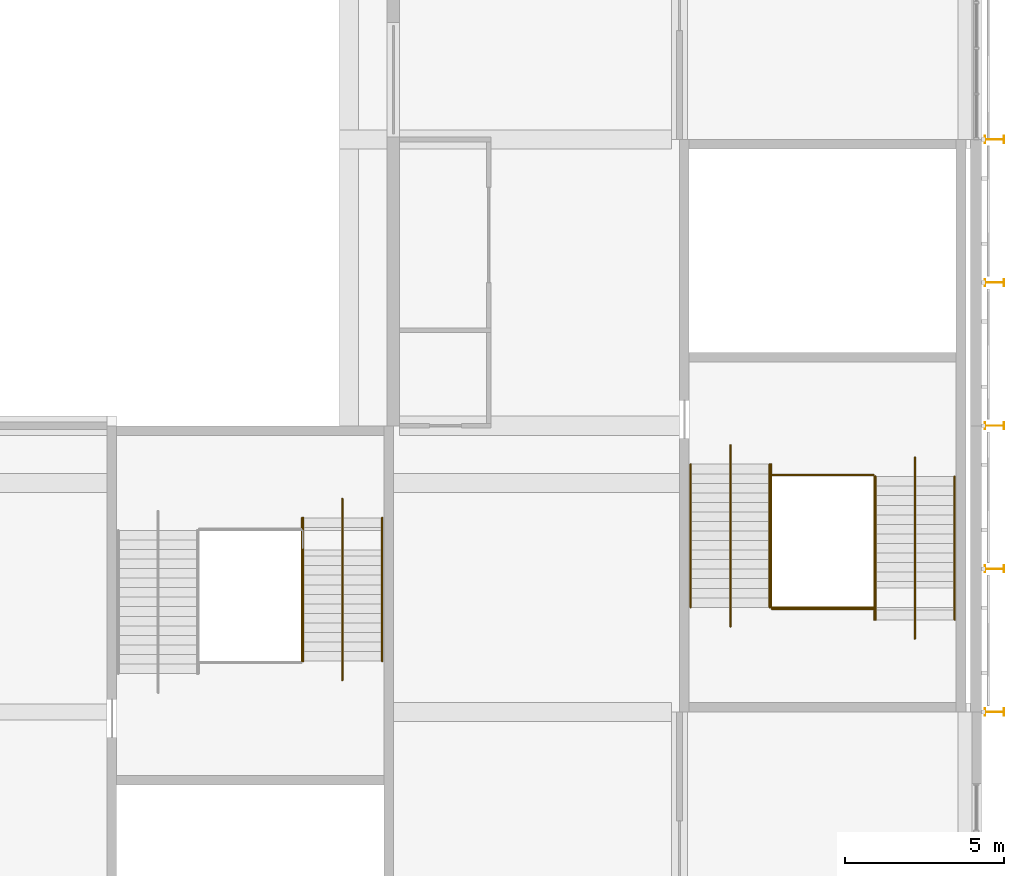
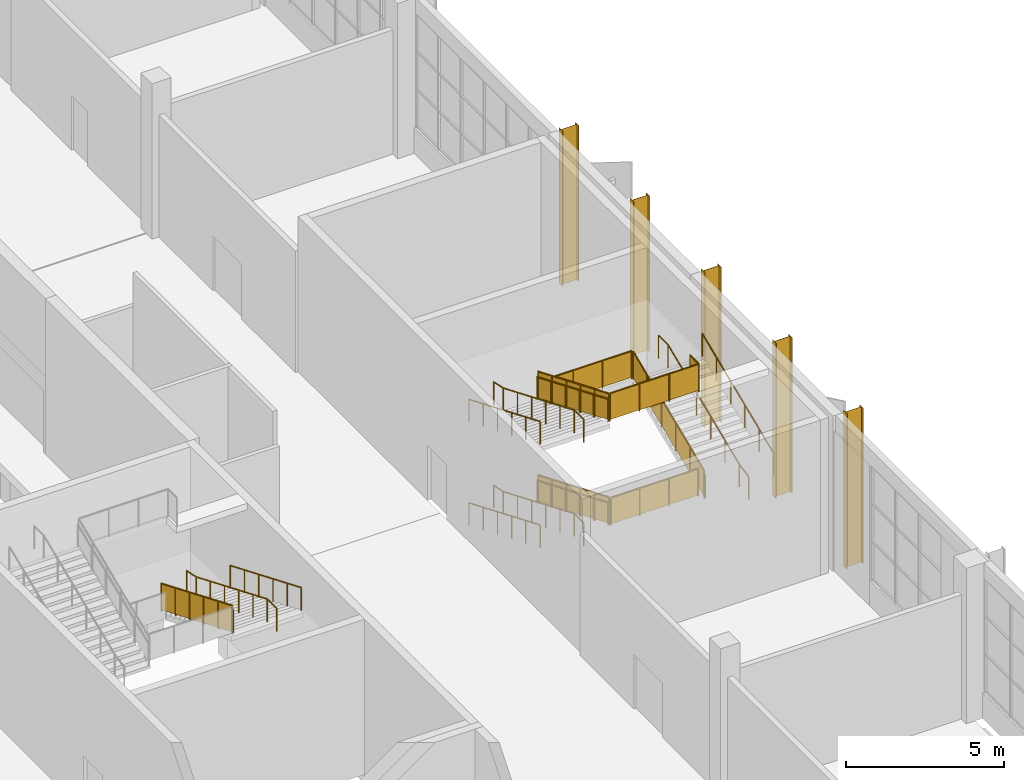
# One storey, part 81 of 89: 19 railings, 5 shading devices.
"""IFC4 building model written with IfcOpenShell, lengths in metres."""

from ifc_helpers import new_model, si_unit, direction, frame, origin, origin_2d, place, context, subcontext, project, spatial, polyline, circle, i_section, outline, extrude, material, material_profile, profile_set, type_object, element, save


model = new_model("IFC4")

# Units and contexts
model_context = context("Model", 3, precision=1e-05, world=origin(), true_north=direction((0.0, 1.0)))
body_context = subcontext(model_context, "Body", "Model", "MODEL_VIEW")
ifc_project = project(units=[si_unit("LENGTHUNIT", "METRE"), si_unit("AREAUNIT", "SQUARE_METRE"), si_unit("VOLUMEUNIT", "CUBIC_METRE"), si_unit("PLANEANGLEUNIT", "RADIAN"), si_unit("MASSUNIT", "GRAM", prefix="KILO")], contexts=[model_context])

# Site, building, storey
site_placement = place(None, origin())
site = spatial("IfcSite", under=ifc_project, at=site_placement, CompositionType="ELEMENT")
building_placement = place(site_placement, origin())
building = spatial("IfcBuilding", under=site, at=building_placement, Name="Silverbay Arena", CompositionType="ELEMENT")
storey_placement = place(building_placement, frame((0.0, 0.0, 22.0)))
storey = spatial("IfcBuildingStorey", under=building, at=storey_placement, Name="L03", CompositionType="ELEMENT", Elevation=22.0)

# Railings
ifc_material_1 = material(Name="Stainless steel", Category="steel")
railing_type_1 = type_object("IfcRailingType", Name="Stair guard 1100", PredefinedType="GUARDRAIL", material=ifc_material_1)
railing_1_placement = place(storey_placement, frame((200.875, 61.7900390625, 0.125)))
element("IfcRailing", 1, at=railing_1_placement, inside=storey, type_object=railing_type_1, Name="Stair ST-E1 L03 to L04 flight 1 guard right", PredefinedType="GUARDRAIL", context=body_context, shape_type="SweptSolid", body=[
    extrude(circle(Radius=0.02392578125, at=origin_2d()), frame((0.0, 0.0, 1.076171875), z_axis=(0.0, -0.923076923077, 0.384615384615), x_axis=(1.0, 0.0, 0.0)), (0.0, 0.0, 1.0), 4.875),
    extrude(outline(polyline([(-0.008056640625, 0.046630859375), (0.907958984375, 0.42822265625), (0.907958984375, 1.431396484375), (-0.008056640625, 1.049560546875), (-0.008056640625, 0.046630859375)])), frame((0.0029296875, 0.0, 0.0), z_axis=(-1.0, 0.0, 0.0), x_axis=(0.0, -1.0, 0.0)), (0.0, 0.0, 1.0), 0.006103515625),
    extrude(outline(polyline([(-0.008056640625, 0.421630859375), (0.907958984375, 0.80322265625), (0.907958984375, 1.806396484375), (-0.008056640625, 1.424560546875), (-0.008056640625, 0.421630859375)])), frame((0.0029296875, -0.89990234375, 0.0), z_axis=(-1.0, 0.0, 0.0), x_axis=(0.0, -1.0, 0.0)), (0.0, 0.0, 1.0), 0.006103515625),
    extrude(outline(polyline([(-0.008056640625, 0.796630859375), (0.907958984375, 1.17822265625), (0.907958984375, 2.181396484375), (-0.008056640625, 1.799560546875), (-0.008056640625, 0.796630859375)])), frame((0.0029296875, -1.800048828125, 0.0), z_axis=(-1.0, 0.0, 0.0), x_axis=(0.0, -1.0, 0.0)), (0.0, 0.0, 1.0), 0.006103515625),
    extrude(outline(polyline([(-0.008056640625, 1.171630859375), (0.907958984375, 1.55322265625), (0.907958984375, 2.556396484375), (-0.008056640625, 2.174560546875), (-0.008056640625, 1.171630859375)])), frame((0.0029296875, -2.699951171875, 0.0), z_axis=(-1.0, 0.0, 0.0), x_axis=(0.0, -1.0, 0.0)), (0.0, 0.0, 1.0), 0.006103515625),
    extrude(outline(polyline([(-0.008056640625, 1.546630859375), (0.907958984375, 1.92822265625), (0.907958984375, 2.931396484375), (-0.008056640625, 2.549560546875), (-0.008056640625, 1.546630859375)])), frame((0.0029296875, -3.60009765625, 0.0), z_axis=(-1.0, 0.0, 0.0), x_axis=(0.0, -1.0, 0.0)), (0.0, 0.0, 1.0), 0.006103515625),
    extrude(circle(Radius=0.02099609375, at=origin_2d()), origin(), (0.0, 0.0, 1.0), 1.052001953125),
    extrude(circle(Radius=0.02099609375, at=origin_2d()), frame((0.0, -0.89990234375, 0.375)), (0.0, 0.0, 1.0), 1.052001953125),
    extrude(circle(Radius=0.02099609375, at=origin_2d()), frame((0.0, -1.800048828125, 0.75)), (0.0, 0.0, 1.0), 1.052001953125),
    extrude(circle(Radius=0.02099609375, at=origin_2d()), frame((0.0, -2.699951171875, 1.125)), (0.0, 0.0, 1.0), 1.052001953125),
    extrude(circle(Radius=0.02099609375, at=origin_2d()), frame((0.0, -3.60009765625, 1.5)), (0.0, 0.0, 1.0), 1.052001953125),
    extrude(circle(Radius=0.02099609375, at=origin_2d()), frame((0.0, -4.5, 1.875)), (0.0, 0.0, 1.0), 1.052001953125),
])
railing_2_placement = place(storey_placement, frame((204.125, 56.89990234375, 2.125)))
element("IfcRailing", 2, at=railing_2_placement, inside=storey, type_object=railing_type_1, Name="Stair ST-E1 L03 to L04 flight 2 guard left", PredefinedType="GUARDRAIL", context=body_context, shape_type="SweptSolid", body=[
    extrude(circle(Radius=0.02392578125, at=origin_2d()), frame((0.0, 0.0, 1.076171875), z_axis=(0.0, 0.923076923077, 0.384615384615), x_axis=(-1.0, 0.0, 0.0)), (0.0, 0.0, 1.0), 4.875),
    extrude(outline(polyline([(-0.008056640625, 0.046630859375), (0.907958984375, 0.42822265625), (0.907958984375, 1.431396484375), (-0.008056640625, 1.049560546875), (-0.008056640625, 0.046630859375)])), frame((-0.0029296875, 0.0, 0.0), z_axis=(1.0, 0.0, 0.0), x_axis=(0.0, 1.0, 0.0)), (0.0, 0.0, 1.0), 0.006103515625),
    extrude(outline(polyline([(-0.008056640625, 0.421630859375), (0.907958984375, 0.80322265625), (0.907958984375, 1.806396484375), (-0.008056640625, 1.424560546875), (-0.008056640625, 0.421630859375)])), frame((-0.0029296875, 0.89990234375, 0.0), z_axis=(1.0, 0.0, 0.0), x_axis=(0.0, 1.0, 0.0)), (0.0, 0.0, 1.0), 0.006103515625),
    extrude(outline(polyline([(-0.008056640625, 0.796630859375), (0.907958984375, 1.17822265625), (0.907958984375, 2.181396484375), (-0.008056640625, 1.799560546875), (-0.008056640625, 0.796630859375)])), frame((-0.0029296875, 1.800048828125, 0.0), z_axis=(1.0, 0.0, 0.0), x_axis=(0.0, 1.0, 0.0)), (0.0, 0.0, 1.0), 0.006103515625),
    extrude(outline(polyline([(-0.008056640625, 1.171630859375), (0.907958984375, 1.55322265625), (0.907958984375, 2.556396484375), (-0.008056640625, 2.174560546875), (-0.008056640625, 1.171630859375)])), frame((-0.0029296875, 2.699951171875, 0.0), z_axis=(1.0, 0.0, 0.0), x_axis=(0.0, 1.0, 0.0)), (0.0, 0.0, 1.0), 0.006103515625),
    extrude(outline(polyline([(-0.008056640625, 1.546630859375), (0.907958984375, 1.92822265625), (0.907958984375, 2.931396484375), (-0.008056640625, 2.549560546875), (-0.008056640625, 1.546630859375)])), frame((-0.0029296875, 3.60009765625, 0.0), z_axis=(1.0, 0.0, 0.0), x_axis=(0.0, 1.0, 0.0)), (0.0, 0.0, 1.0), 0.006103515625),
    extrude(circle(Radius=0.02099609375, at=origin_2d()), origin(), (0.0, 0.0, 1.0), 1.052001953125),
    extrude(circle(Radius=0.02099609375, at=origin_2d()), frame((0.0, 0.89990234375, 0.375)), (0.0, 0.0, 1.0), 1.052001953125),
    extrude(circle(Radius=0.02099609375, at=origin_2d()), frame((0.0, 1.800048828125, 0.75)), (0.0, 0.0, 1.0), 1.052001953125),
    extrude(circle(Radius=0.02099609375, at=origin_2d()), frame((0.0, 2.699951171875, 1.125)), (0.0, 0.0, 1.0), 1.052001953125),
    extrude(circle(Radius=0.02099609375, at=origin_2d()), frame((0.0, 3.60009765625, 1.5)), (0.0, 0.0, 1.0), 1.052001953125),
    extrude(circle(Radius=0.02099609375, at=origin_2d()), frame((0.0, 4.5, 1.875)), (0.0, 0.0, 1.0), 1.052001953125),
])
railing_3_placement = place(storey_placement, frame((200.875, 61.7900390625, 4.125)))
element("IfcRailing", 3, at=railing_3_placement, inside=storey, type_object=railing_type_1, Name="Stair ST-E1 L03 to L04 flight 3 guard right", PredefinedType="GUARDRAIL", context=body_context, shape_type="SweptSolid", body=[
    extrude(circle(Radius=0.02392578125, at=origin_2d()), frame((0.0, 0.0, 1.076171875), z_axis=(0.0, -0.923076923077, 0.384615384615), x_axis=(1.0, 0.0, 0.0)), (0.0, 0.0, 1.0), 4.875),
    extrude(outline(polyline([(-0.008056640625, 0.046630859375), (0.907958984375, 0.42822265625), (0.907958984375, 1.431396484375), (-0.008056640625, 1.049560546875), (-0.008056640625, 0.046630859375)])), frame((0.0029296875, 0.0, 0.0), z_axis=(-1.0, 0.0, 0.0), x_axis=(0.0, -1.0, 0.0)), (0.0, 0.0, 1.0), 0.006103515625),
    extrude(outline(polyline([(-0.008056640625, 0.421630859375), (0.907958984375, 0.80322265625), (0.907958984375, 1.806396484375), (-0.008056640625, 1.424560546875), (-0.008056640625, 0.421630859375)])), frame((0.0029296875, -0.89990234375, 0.0), z_axis=(-1.0, 0.0, 0.0), x_axis=(0.0, -1.0, 0.0)), (0.0, 0.0, 1.0), 0.006103515625),
    extrude(outline(polyline([(-0.008056640625, 0.796630859375), (0.907958984375, 1.17822265625), (0.907958984375, 2.181396484375), (-0.008056640625, 1.799560546875), (-0.008056640625, 0.796630859375)])), frame((0.0029296875, -1.800048828125, 0.0), z_axis=(-1.0, 0.0, 0.0), x_axis=(0.0, -1.0, 0.0)), (0.0, 0.0, 1.0), 0.006103515625),
    extrude(outline(polyline([(-0.008056640625, 1.171630859375), (0.907958984375, 1.55322265625), (0.907958984375, 2.556396484375), (-0.008056640625, 2.174560546875), (-0.008056640625, 1.171630859375)])), frame((0.0029296875, -2.699951171875, 0.0), z_axis=(-1.0, 0.0, 0.0), x_axis=(0.0, -1.0, 0.0)), (0.0, 0.0, 1.0), 0.006103515625),
    extrude(outline(polyline([(-0.008056640625, 1.546630859375), (0.907958984375, 1.92822265625), (0.907958984375, 2.931396484375), (-0.008056640625, 2.549560546875), (-0.008056640625, 1.546630859375)])), frame((0.0029296875, -3.60009765625, 0.0), z_axis=(-1.0, 0.0, 0.0), x_axis=(0.0, -1.0, 0.0)), (0.0, 0.0, 1.0), 0.006103515625),
    extrude(circle(Radius=0.02099609375, at=origin_2d()), origin(), (0.0, 0.0, 1.0), 1.052001953125),
    extrude(circle(Radius=0.02099609375, at=origin_2d()), frame((0.0, -0.89990234375, 0.375)), (0.0, 0.0, 1.0), 1.052001953125),
    extrude(circle(Radius=0.02099609375, at=origin_2d()), frame((0.0, -1.800048828125, 0.75)), (0.0, 0.0, 1.0), 1.052001953125),
    extrude(circle(Radius=0.02099609375, at=origin_2d()), frame((0.0, -2.699951171875, 1.125)), (0.0, 0.0, 1.0), 1.052001953125),
    extrude(circle(Radius=0.02099609375, at=origin_2d()), frame((0.0, -3.60009765625, 1.5)), (0.0, 0.0, 1.0), 1.052001953125),
    extrude(circle(Radius=0.02099609375, at=origin_2d()), frame((0.0, -4.5, 1.875)), (0.0, 0.0, 1.0), 1.052001953125),
])
for number, where, name in (
    (4, (200.89990234375, 57.239990234375, 2.0), "Stair ST-E1 L03 to L04 landing 1 guard"),
    (5, (200.89990234375, 61.449951171875, 4.0), "Stair ST-E1 L03 to L04 landing 2 guard"),
):
    element("IfcRailing", number, at=place(storey_placement, frame(where)), inside=storey, type_object=railing_type_1, Name=name, PredefinedType="GUARDRAIL", context=body_context, shape_type="SweptSolid", body=[
        extrude(circle(Radius=0.02392578125, at=origin_2d()), frame((0.0, 0.0, 1.076171875), z_axis=(1.0, 0.0, 0.0), x_axis=(0.0, 1.0, 0.0)), (0.0, 0.0, 1.0), 3.2001953125),
        extrude(outline(polyline([(-0.008056640625, 0.050048828125), (1.07470703125, 0.050048828125), (1.07470703125, 1.052978515625), (-0.008056640625, 1.052978515625), (-0.008056640625, 0.050048828125)])), frame((0.0, 0.0029296875, 0.0), z_axis=(0.0, -1.0, 0.0), x_axis=(1.0, 0.0, 0.0)), (0.0, 0.0, 1.0), 0.006103515625),
        extrude(outline(polyline([(-0.008056640625, 0.050048828125), (1.07470703125, 0.050048828125), (1.07470703125, 1.052978515625), (-0.008056640625, 1.052978515625), (-0.008056640625, 0.050048828125)])), frame((1.066650390625, 0.0029296875, 0.0), z_axis=(0.0, -1.0, 0.0), x_axis=(1.0, 0.0, 0.0)), (0.0, 0.0, 1.0), 0.006103515625),
        extrude(outline(polyline([(-0.008056640625, 0.050048828125), (1.07470703125, 0.050048828125), (1.07470703125, 1.052978515625), (-0.008056640625, 1.052978515625), (-0.008056640625, 0.050048828125)])), frame((2.133544921875, 0.0029296875, 0.0), z_axis=(0.0, -1.0, 0.0), x_axis=(1.0, 0.0, 0.0)), (0.0, 0.0, 1.0), 0.006103515625),
        extrude(circle(Radius=0.02099609375, at=origin_2d()), origin(), (0.0, 0.0, 1.0), 1.052001953125),
        extrude(circle(Radius=0.02099609375, at=origin_2d()), frame((1.066650390625, 0.0, 0.0)), (0.0, 0.0, 1.0), 1.052001953125),
        extrude(circle(Radius=0.02099609375, at=origin_2d()), frame((2.133544921875, 0.0, 0.0)), (0.0, 0.0, 1.0), 1.052001953125),
        extrude(circle(Radius=0.02099609375, at=origin_2d()), frame((3.2001953125, 0.0, 0.0)), (0.0, 0.0, 1.0), 1.052001953125),
    ])
railing_4_placement = place(storey_placement, frame((204.14990234375, 57.85009765625, 6.0)))
element("IfcRailing", 6, at=railing_4_placement, inside=storey, type_object=railing_type_1, Name="Stair ST-E1 L03 to L04 landing 3 guard", PredefinedType="GUARDRAIL", context=body_context, shape_type="SweptSolid", body=[
    extrude(circle(Radius=0.02392578125, at=origin_2d()), frame((0.0, 0.0, 1.076171875), z_axis=(0.0, -1.0, 0.0), x_axis=(1.0, 0.0, 0.0)), (0.0, 0.0, 1.0), 0.56005859375),
    extrude(outline(polyline([(-0.008056640625, 0.050048828125), (0.568115234375, 0.050048828125), (0.568115234375, 1.052978515625), (-0.008056640625, 1.052978515625), (-0.008056640625, 0.050048828125)])), frame((0.0029296875, 0.0, 0.0), z_axis=(-1.0, 0.0, 0.0), x_axis=(0.0, -1.0, 0.0)), (0.0, 0.0, 1.0), 0.006103515625),
    extrude(circle(Radius=0.02392578125, at=origin_2d()), frame((0.0, -0.56005859375, 1.076171875), z_axis=(-1.0, 0.0, 0.0), x_axis=(0.0, -1.0, 0.0)), (0.0, 0.0, 1.0), 3.25),
    extrude(outline(polyline([(-0.008056640625, 0.050048828125), (1.09130859375, 0.050048828125), (1.09130859375, 1.052978515625), (-0.008056640625, 1.052978515625), (-0.008056640625, 0.050048828125)])), frame((0.0, -0.56298828125, 0.0), z_axis=(0.0, 1.0, 0.0), x_axis=(-1.0, 0.0, 0.0)), (0.0, 0.0, 1.0), 0.006103515625),
    extrude(outline(polyline([(-0.008056640625, 0.050048828125), (1.09130859375, 0.050048828125), (1.09130859375, 1.052978515625), (-0.008056640625, 1.052978515625), (-0.008056640625, 0.050048828125)])), frame((-1.083251953125, -0.56298828125, 0.0), z_axis=(0.0, 1.0, 0.0), x_axis=(-1.0, 0.0, 0.0)), (0.0, 0.0, 1.0), 0.006103515625),
    extrude(outline(polyline([(-0.008056640625, 0.050048828125), (1.09130859375, 0.050048828125), (1.09130859375, 1.052978515625), (-0.008056640625, 1.052978515625), (-0.008056640625, 0.050048828125)])), frame((-2.166748046875, -0.56298828125, 0.0), z_axis=(0.0, 1.0, 0.0), x_axis=(-1.0, 0.0, 0.0)), (0.0, 0.0, 1.0), 0.006103515625),
    extrude(circle(Radius=0.02099609375, at=origin_2d()), origin(), (0.0, 0.0, 1.0), 1.052001953125),
    extrude(circle(Radius=0.02099609375, at=origin_2d()), frame((0.0, -0.56005859375, 0.0)), (0.0, 0.0, 1.0), 1.052001953125),
    extrude(circle(Radius=0.02099609375, at=origin_2d()), frame((-1.083251953125, -0.56005859375, 0.0)), (0.0, 0.0, 1.0), 1.052001953125),
    extrude(circle(Radius=0.02099609375, at=origin_2d()), frame((-2.166748046875, -0.56005859375, 0.0)), (0.0, 0.0, 1.0), 1.052001953125),
    extrude(circle(Radius=0.02099609375, at=origin_2d()), frame((-3.25, -0.56005859375, 0.0)), (0.0, 0.0, 1.0), 1.052001953125),
])
railing_5_placement = place(storey_placement, frame((186.125, 60.10009765625, 2.125)))
element("IfcRailing", 7, at=railing_5_placement, inside=storey, type_object=railing_type_1, Name="Stair ST-SE2 L03 to L04 flight 2 guard left", PredefinedType="GUARDRAIL", context=body_context, shape_type="SweptSolid", body=[
    extrude(circle(Radius=0.02392578125, at=origin_2d()), frame((0.0, 0.0, 1.076171875), z_axis=(0.0, -0.923076923077, 0.384615384615), x_axis=(1.0, 0.0, 0.0)), (0.0, 0.0, 1.0), 4.875),
    extrude(outline(polyline([(-0.008056640625, 0.046630859375), (0.907958984375, 0.42822265625), (0.907958984375, 1.431396484375), (-0.008056640625, 1.049560546875), (-0.008056640625, 0.046630859375)])), frame((0.0029296875, 0.0, 0.0), z_axis=(-1.0, 0.0, 0.0), x_axis=(0.0, -1.0, 0.0)), (0.0, 0.0, 1.0), 0.006103515625),
    extrude(outline(polyline([(-0.008056640625, 0.421630859375), (0.907958984375, 0.80322265625), (0.907958984375, 1.806396484375), (-0.008056640625, 1.424560546875), (-0.008056640625, 0.421630859375)])), frame((0.0029296875, -0.89990234375, 0.0), z_axis=(-1.0, 0.0, 0.0), x_axis=(0.0, -1.0, 0.0)), (0.0, 0.0, 1.0), 0.006103515625),
    extrude(outline(polyline([(-0.008056640625, 0.796630859375), (0.907958984375, 1.17822265625), (0.907958984375, 2.181396484375), (-0.008056640625, 1.799560546875), (-0.008056640625, 0.796630859375)])), frame((0.0029296875, -1.800048828125, 0.0), z_axis=(-1.0, 0.0, 0.0), x_axis=(0.0, -1.0, 0.0)), (0.0, 0.0, 1.0), 0.006103515625),
    extrude(outline(polyline([(-0.008056640625, 1.171630859375), (0.907958984375, 1.55322265625), (0.907958984375, 2.556396484375), (-0.008056640625, 2.174560546875), (-0.008056640625, 1.171630859375)])), frame((0.0029296875, -2.699951171875, 0.0), z_axis=(-1.0, 0.0, 0.0), x_axis=(0.0, -1.0, 0.0)), (0.0, 0.0, 1.0), 0.006103515625),
    extrude(outline(polyline([(-0.008056640625, 1.546630859375), (0.907958984375, 1.92822265625), (0.907958984375, 2.931396484375), (-0.008056640625, 2.549560546875), (-0.008056640625, 1.546630859375)])), frame((0.0029296875, -3.60009765625, 0.0), z_axis=(-1.0, 0.0, 0.0), x_axis=(0.0, -1.0, 0.0)), (0.0, 0.0, 1.0), 0.006103515625),
    extrude(circle(Radius=0.02099609375, at=origin_2d()), origin(), (0.0, 0.0, 1.0), 1.052001953125),
    extrude(circle(Radius=0.02099609375, at=origin_2d()), frame((0.0, -0.89990234375, 0.375)), (0.0, 0.0, 1.0), 1.052001953125),
    extrude(circle(Radius=0.02099609375, at=origin_2d()), frame((0.0, -1.800048828125, 0.75)), (0.0, 0.0, 1.0), 1.052001953125),
    extrude(circle(Radius=0.02099609375, at=origin_2d()), frame((0.0, -2.699951171875, 1.125)), (0.0, 0.0, 1.0), 1.052001953125),
    extrude(circle(Radius=0.02099609375, at=origin_2d()), frame((0.0, -3.60009765625, 1.5)), (0.0, 0.0, 1.0), 1.052001953125),
    extrude(circle(Radius=0.02099609375, at=origin_2d()), frame((0.0, -4.5, 1.875)), (0.0, 0.0, 1.0), 1.052001953125),
])
ifc_material_2 = material(Name="Stainless steel", Category="steel")
railing_type_2 = type_object("IfcRailingType", Name="Stair handrail 900", PredefinedType="HANDRAIL", material=ifc_material_2)
for number, where, name in (
    (8, (198.35009765625, 61.7900390625, 0.125), "Stair ST-E1 L03 to L04 flight 1 handrail left"),
    (9, (200.8359375, 61.7900390625, 0.125), "Stair ST-E1 L03 to L04 flight 1 handrail right"),
):
    element("IfcRailing", number, at=place(storey_placement, frame(where)), inside=storey, type_object=railing_type_2, Name=name, PredefinedType="HANDRAIL", context=body_context, shape_type="SweptSolid", body=[
        extrude(circle(Radius=0.02392578125, at=origin_2d()), frame((0.0, 0.0, 0.8759765625), z_axis=(0.0, -0.923076923077, 0.384615384615), x_axis=(1.0, 0.0, 0.0)), (0.0, 0.0, 1.0), 4.875),
        extrude(circle(Radius=0.02099609375, at=origin_2d()), origin(), (0.0, 0.0, 1.0), 0.851806640625),
        extrude(circle(Radius=0.02099609375, at=origin_2d()), frame((0.0, -0.89990234375, 0.375)), (0.0, 0.0, 1.0), 0.851806640625),
        extrude(circle(Radius=0.02099609375, at=origin_2d()), frame((0.0, -1.800048828125, 0.75)), (0.0, 0.0, 1.0), 0.851806640625),
        extrude(circle(Radius=0.02099609375, at=origin_2d()), frame((0.0, -2.699951171875, 1.125)), (0.0, 0.0, 1.0), 0.851806640625),
        extrude(circle(Radius=0.02099609375, at=origin_2d()), frame((0.0, -3.60009765625, 1.5)), (0.0, 0.0, 1.0), 0.851806640625),
        extrude(circle(Radius=0.02099609375, at=origin_2d()), frame((0.0, -4.5, 1.875)), (0.0, 0.0, 1.0), 0.851806640625),
    ])
railing_6_placement = place(storey_placement, frame((199.60009765625, 62.389892578125, 0.0)))
element("IfcRailing", 10, at=railing_6_placement, inside=storey, type_object=railing_type_2, Name="Stair ST-E1 L03 to L04 flight 1 central handrail", PredefinedType="HANDRAIL", context=body_context, shape_type="SweptSolid", body=[
    extrude(circle(Radius=0.02392578125, at=origin_2d()), frame((0.0, 0.0, 0.8759765625), z_axis=(0.0, -0.978970474113, 0.20400198728), x_axis=(1.0, 0.0, 0.0)), (0.0, 0.0, 1.0), 0.61279296875),
    extrude(circle(Radius=0.02392578125, at=origin_2d()), frame((0.0, -0.599853515625, 1.0009765625), z_axis=(0.0, -0.923076923077, 0.384615384615), x_axis=(1.0, 0.0, 0.0)), (0.0, 0.0, 1.0), 4.875),
    extrude(circle(Radius=0.02392578125, at=origin_2d()), frame((0.0, -5.099853515625, 2.8759765625), z_axis=(0.0, -1.0, 0.0), x_axis=(1.0, 0.0, 0.0)), (0.0, 0.0, 1.0), 0.60009765625),
    extrude(circle(Radius=0.02099609375, at=origin_2d()), origin(), (0.0, 0.0, 1.0), 0.851806640625),
    extrude(circle(Radius=0.02099609375, at=origin_2d()), frame((0.0, -0.599853515625, 0.125)), (0.0, 0.0, 1.0), 0.851806640625),
    extrude(circle(Radius=0.02099609375, at=origin_2d()), frame((0.0, -1.499755859375, 0.5)), (0.0, 0.0, 1.0), 0.851806640625),
    extrude(circle(Radius=0.02099609375, at=origin_2d()), frame((0.0, -2.39990234375, 0.875)), (0.0, 0.0, 1.0), 0.851806640625),
    extrude(circle(Radius=0.02099609375, at=origin_2d()), frame((0.0, -3.2998046875, 1.25)), (0.0, 0.0, 1.0), 0.851806640625),
    extrude(circle(Radius=0.02099609375, at=origin_2d()), frame((0.0, -4.199951171875, 1.625)), (0.0, 0.0, 1.0), 0.851806640625),
    extrude(circle(Radius=0.02099609375, at=origin_2d()), frame((0.0, -5.099853515625, 2.0)), (0.0, 0.0, 1.0), 0.851806640625),
    extrude(circle(Radius=0.02099609375, at=origin_2d()), frame((0.0, -5.699951171875, 2.0)), (0.0, 0.0, 1.0), 0.851806640625),
])
for number, where, name in (
    (11, (204.1640625, 56.89990234375, 2.125), "Stair ST-E1 L03 to L04 flight 2 handrail left"),
    (12, (206.64990234375, 56.89990234375, 2.125), "Stair ST-E1 L03 to L04 flight 2 handrail right"),
):
    element("IfcRailing", number, at=place(storey_placement, frame(where)), inside=storey, type_object=railing_type_2, Name=name, PredefinedType="HANDRAIL", context=body_context, shape_type="SweptSolid", body=[
        extrude(circle(Radius=0.02392578125, at=origin_2d()), frame((0.0, 0.0, 0.8759765625), z_axis=(0.0, 0.923076923077, 0.384615384615), x_axis=(-1.0, 0.0, 0.0)), (0.0, 0.0, 1.0), 4.875),
        extrude(circle(Radius=0.02099609375, at=origin_2d()), origin(), (0.0, 0.0, 1.0), 0.851806640625),
        extrude(circle(Radius=0.02099609375, at=origin_2d()), frame((0.0, 0.89990234375, 0.375)), (0.0, 0.0, 1.0), 0.851806640625),
        extrude(circle(Radius=0.02099609375, at=origin_2d()), frame((0.0, 1.800048828125, 0.75)), (0.0, 0.0, 1.0), 0.851806640625),
        extrude(circle(Radius=0.02099609375, at=origin_2d()), frame((0.0, 2.699951171875, 1.125)), (0.0, 0.0, 1.0), 0.851806640625),
        extrude(circle(Radius=0.02099609375, at=origin_2d()), frame((0.0, 3.60009765625, 1.5)), (0.0, 0.0, 1.0), 0.851806640625),
        extrude(circle(Radius=0.02099609375, at=origin_2d()), frame((0.0, 4.5, 1.875)), (0.0, 0.0, 1.0), 0.851806640625),
    ])
railing_7_placement = place(storey_placement, frame((205.39990234375, 56.300048828125, 2.0)))
element("IfcRailing", 13, at=railing_7_placement, inside=storey, type_object=railing_type_2, Name="Stair ST-E1 L03 to L04 flight 2 central handrail", PredefinedType="HANDRAIL", context=body_context, shape_type="SweptSolid", body=[
    extrude(circle(Radius=0.02392578125, at=origin_2d()), frame((0.0, 0.0, 0.8759765625), z_axis=(0.0, 0.978970474113, 0.20400198728), x_axis=(-1.0, 0.0, 0.0)), (0.0, 0.0, 1.0), 0.61279296875),
    extrude(circle(Radius=0.02392578125, at=origin_2d()), frame((0.0, 0.599853515625, 1.0009765625), z_axis=(0.0, 0.923076923077, 0.384615384615), x_axis=(-1.0, 0.0, 0.0)), (0.0, 0.0, 1.0), 4.875),
    extrude(circle(Radius=0.02392578125, at=origin_2d()), frame((0.0, 5.099853515625, 2.8759765625), z_axis=(0.0, 1.0, 0.0), x_axis=(-1.0, 0.0, 0.0)), (0.0, 0.0, 1.0), 0.60009765625),
    extrude(circle(Radius=0.02099609375, at=origin_2d()), origin(), (0.0, 0.0, 1.0), 0.851806640625),
    extrude(circle(Radius=0.02099609375, at=origin_2d()), frame((0.0, 0.599853515625, 0.125)), (0.0, 0.0, 1.0), 0.851806640625),
    extrude(circle(Radius=0.02099609375, at=origin_2d()), frame((0.0, 1.499755859375, 0.5)), (0.0, 0.0, 1.0), 0.851806640625),
    extrude(circle(Radius=0.02099609375, at=origin_2d()), frame((0.0, 2.39990234375, 0.875)), (0.0, 0.0, 1.0), 0.851806640625),
    extrude(circle(Radius=0.02099609375, at=origin_2d()), frame((0.0, 3.2998046875, 1.25)), (0.0, 0.0, 1.0), 0.851806640625),
    extrude(circle(Radius=0.02099609375, at=origin_2d()), frame((0.0, 4.199951171875, 1.625)), (0.0, 0.0, 1.0), 0.851806640625),
    extrude(circle(Radius=0.02099609375, at=origin_2d()), frame((0.0, 5.099853515625, 2.0)), (0.0, 0.0, 1.0), 0.851806640625),
    extrude(circle(Radius=0.02099609375, at=origin_2d()), frame((0.0, 5.699951171875, 2.0)), (0.0, 0.0, 1.0), 0.851806640625),
])
for number, where, name in (
    (14, (198.35009765625, 61.7900390625, 4.125), "Stair ST-E1 L03 to L04 flight 3 handrail left"),
    (15, (200.8359375, 61.7900390625, 4.125), "Stair ST-E1 L03 to L04 flight 3 handrail right"),
):
    element("IfcRailing", number, at=place(storey_placement, frame(where)), inside=storey, type_object=railing_type_2, Name=name, PredefinedType="HANDRAIL", context=body_context, shape_type="SweptSolid", body=[
        extrude(circle(Radius=0.02392578125, at=origin_2d()), frame((0.0, 0.0, 0.8759765625), z_axis=(0.0, -0.923076923077, 0.384615384615), x_axis=(1.0, 0.0, 0.0)), (0.0, 0.0, 1.0), 4.875),
        extrude(circle(Radius=0.02099609375, at=origin_2d()), origin(), (0.0, 0.0, 1.0), 0.851806640625),
        extrude(circle(Radius=0.02099609375, at=origin_2d()), frame((0.0, -0.89990234375, 0.375)), (0.0, 0.0, 1.0), 0.851806640625),
        extrude(circle(Radius=0.02099609375, at=origin_2d()), frame((0.0, -1.800048828125, 0.75)), (0.0, 0.0, 1.0), 0.851806640625),
        extrude(circle(Radius=0.02099609375, at=origin_2d()), frame((0.0, -2.699951171875, 1.125)), (0.0, 0.0, 1.0), 0.851806640625),
        extrude(circle(Radius=0.02099609375, at=origin_2d()), frame((0.0, -3.60009765625, 1.5)), (0.0, 0.0, 1.0), 0.851806640625),
        extrude(circle(Radius=0.02099609375, at=origin_2d()), frame((0.0, -4.5, 1.875)), (0.0, 0.0, 1.0), 0.851806640625),
    ])
railing_8_placement = place(storey_placement, frame((199.60009765625, 62.389892578125, 4.0)))
element("IfcRailing", 16, at=railing_8_placement, inside=storey, type_object=railing_type_2, Name="Stair ST-E1 L03 to L04 flight 3 central handrail", PredefinedType="HANDRAIL", context=body_context, shape_type="SweptSolid", body=[
    extrude(circle(Radius=0.02392578125, at=origin_2d()), frame((0.0, 0.0, 0.8759765625), z_axis=(0.0, -0.978970474113, 0.20400198728), x_axis=(1.0, 0.0, 0.0)), (0.0, 0.0, 1.0), 0.61279296875),
    extrude(circle(Radius=0.02392578125, at=origin_2d()), frame((0.0, -0.599853515625, 1.0009765625), z_axis=(0.0, -0.923076923077, 0.384615384615), x_axis=(1.0, 0.0, 0.0)), (0.0, 0.0, 1.0), 4.875),
    extrude(circle(Radius=0.02392578125, at=origin_2d()), frame((0.0, -5.099853515625, 2.8759765625), z_axis=(0.0, -1.0, 0.0), x_axis=(1.0, 0.0, 0.0)), (0.0, 0.0, 1.0), 0.60009765625),
    extrude(circle(Radius=0.02099609375, at=origin_2d()), origin(), (0.0, 0.0, 1.0), 0.851806640625),
    extrude(circle(Radius=0.02099609375, at=origin_2d()), frame((0.0, -0.599853515625, 0.125)), (0.0, 0.0, 1.0), 0.851806640625),
    extrude(circle(Radius=0.02099609375, at=origin_2d()), frame((0.0, -1.499755859375, 0.5)), (0.0, 0.0, 1.0), 0.851806640625),
    extrude(circle(Radius=0.02099609375, at=origin_2d()), frame((0.0, -2.39990234375, 0.875)), (0.0, 0.0, 1.0), 0.851806640625),
    extrude(circle(Radius=0.02099609375, at=origin_2d()), frame((0.0, -3.2998046875, 1.25)), (0.0, 0.0, 1.0), 0.851806640625),
    extrude(circle(Radius=0.02099609375, at=origin_2d()), frame((0.0, -4.199951171875, 1.625)), (0.0, 0.0, 1.0), 0.851806640625),
    extrude(circle(Radius=0.02099609375, at=origin_2d()), frame((0.0, -5.099853515625, 2.0)), (0.0, 0.0, 1.0), 0.851806640625),
    extrude(circle(Radius=0.02099609375, at=origin_2d()), frame((0.0, -5.699951171875, 2.0)), (0.0, 0.0, 1.0), 0.851806640625),
])
for number, where, name in (
    (17, (186.1640625, 60.10009765625, 2.125), "Stair ST-SE2 L03 to L04 flight 2 handrail left"),
    (18, (188.64990234375, 60.10009765625, 2.125), "Stair ST-SE2 L03 to L04 flight 2 handrail right"),
):
    element("IfcRailing", number, at=place(storey_placement, frame(where)), inside=storey, type_object=railing_type_2, Name=name, PredefinedType="HANDRAIL", context=body_context, shape_type="SweptSolid", body=[
        extrude(circle(Radius=0.02392578125, at=origin_2d()), frame((0.0, 0.0, 0.8759765625), z_axis=(0.0, -0.923076923077, 0.384615384615), x_axis=(1.0, 0.0, 0.0)), (0.0, 0.0, 1.0), 4.875),
        extrude(circle(Radius=0.02099609375, at=origin_2d()), origin(), (0.0, 0.0, 1.0), 0.851806640625),
        extrude(circle(Radius=0.02099609375, at=origin_2d()), frame((0.0, -0.89990234375, 0.375)), (0.0, 0.0, 1.0), 0.851806640625),
        extrude(circle(Radius=0.02099609375, at=origin_2d()), frame((0.0, -1.800048828125, 0.75)), (0.0, 0.0, 1.0), 0.851806640625),
        extrude(circle(Radius=0.02099609375, at=origin_2d()), frame((0.0, -2.699951171875, 1.125)), (0.0, 0.0, 1.0), 0.851806640625),
        extrude(circle(Radius=0.02099609375, at=origin_2d()), frame((0.0, -3.60009765625, 1.5)), (0.0, 0.0, 1.0), 0.851806640625),
        extrude(circle(Radius=0.02099609375, at=origin_2d()), frame((0.0, -4.5, 1.875)), (0.0, 0.0, 1.0), 0.851806640625),
    ])
railing_9_placement = place(storey_placement, frame((187.39990234375, 60.699951171875, 2.0)))
element("IfcRailing", 19, at=railing_9_placement, inside=storey, type_object=railing_type_2, Name="Stair ST-SE2 L03 to L04 flight 2 central handrail", PredefinedType="HANDRAIL", context=body_context, shape_type="SweptSolid", body=[
    extrude(circle(Radius=0.02392578125, at=origin_2d()), frame((0.0, 0.0, 0.8759765625), z_axis=(0.0, -0.978970474113, 0.20400198728), x_axis=(1.0, 0.0, 0.0)), (0.0, 0.0, 1.0), 0.61279296875),
    extrude(circle(Radius=0.02392578125, at=origin_2d()), frame((0.0, -0.599853515625, 1.0009765625), z_axis=(0.0, -0.923076923077, 0.384615384615), x_axis=(1.0, 0.0, 0.0)), (0.0, 0.0, 1.0), 4.875),
    extrude(circle(Radius=0.02392578125, at=origin_2d()), frame((0.0, -5.099853515625, 2.8759765625), z_axis=(0.0, -1.0, 0.0), x_axis=(1.0, 0.0, 0.0)), (0.0, 0.0, 1.0), 0.60009765625),
    extrude(circle(Radius=0.02099609375, at=origin_2d()), origin(), (0.0, 0.0, 1.0), 0.851806640625),
    extrude(circle(Radius=0.02099609375, at=origin_2d()), frame((0.0, -0.599853515625, 0.125)), (0.0, 0.0, 1.0), 0.851806640625),
    extrude(circle(Radius=0.02099609375, at=origin_2d()), frame((0.0, -1.499755859375, 0.5)), (0.0, 0.0, 1.0), 0.851806640625),
    extrude(circle(Radius=0.02099609375, at=origin_2d()), frame((0.0, -2.39990234375, 0.875)), (0.0, 0.0, 1.0), 0.851806640625),
    extrude(circle(Radius=0.02099609375, at=origin_2d()), frame((0.0, -3.2998046875, 1.25)), (0.0, 0.0, 1.0), 0.851806640625),
    extrude(circle(Radius=0.02099609375, at=origin_2d()), frame((0.0, -4.199951171875, 1.625)), (0.0, 0.0, 1.0), 0.851806640625),
    extrude(circle(Radius=0.02099609375, at=origin_2d()), frame((0.0, -5.099853515625, 2.0)), (0.0, 0.0, 1.0), 0.851806640625),
    extrude(circle(Radius=0.02099609375, at=origin_2d()), frame((0.0, -5.699951171875, 2.0)), (0.0, 0.0, 1.0), 0.851806640625),
])

# Shading devices
ifc_material_3 = material(Name="Steel S355", Category="steel")
ifc_material_profile = material_profile(ifc_material_3, i_section(OverallWidth=0.2275390625, OverallDepth=0.6025390625, WebThickness=0.010498046875, FlangeThickness=0.014892578125, at=origin_2d()), Name="UB 610x229x101")
ifc_profile_set = profile_set([ifc_material_profile], Name="Steel S355")
shading_device_type = type_object("IfcShadingDeviceType", Name="Steel fin UB 610x229x101", PredefinedType="USERDEFINED", material=ifc_profile_set)
for number, where, z_axis, x_axis, name in (
    (20, (207.9013671875, 54.0, 0.0), (0.0, 0.0, 1.0), (0.0, 1.0, 0.0), "Steel fin E L03 8"),
    (21, (207.9013671875, 58.5, 0.0), (0.0, 0.0, 1.0), (0.0, 1.0, 0.0), "Steel fin E L03 9"),
    (22, (207.9013671875, 63.0, 0.0), (0.0, 0.0, 1.0), (0.0, 1.0, 0.0), "Steel fin E L03 10"),
    (23, (207.9013671875, 67.5, 0.0), (0.0, 0.0, 1.0), (0.0, 1.0, 0.0), "Steel fin E L03 11"),
    (24, (207.9013671875, 72.0, 0.0), (0.0, 0.0, 1.0), (0.0, 1.0, 0.0), "Steel fin E L03 12"),
):
    element("IfcShadingDevice", number, at=place(storey_placement, frame(where, z_axis=z_axis, x_axis=x_axis)), inside=storey, type_object=shading_device_type, Name=name, ObjectType="FIN", PredefinedType="USERDEFINED", context=body_context, shape_type="SweptSolid", body=[
        extrude(i_section(OverallWidth=0.2275390625, OverallDepth=0.6025390625, WebThickness=0.010498046875, FlangeThickness=0.014892578125, at=origin_2d()), origin(), (0.0, 0.0, 1.0), 6.0),
    ])

save(model, "model.ifc")
